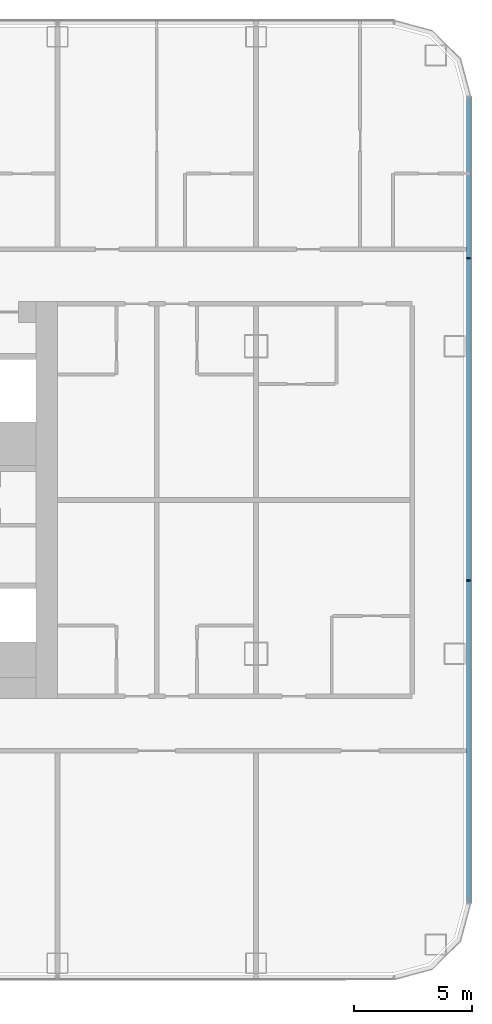
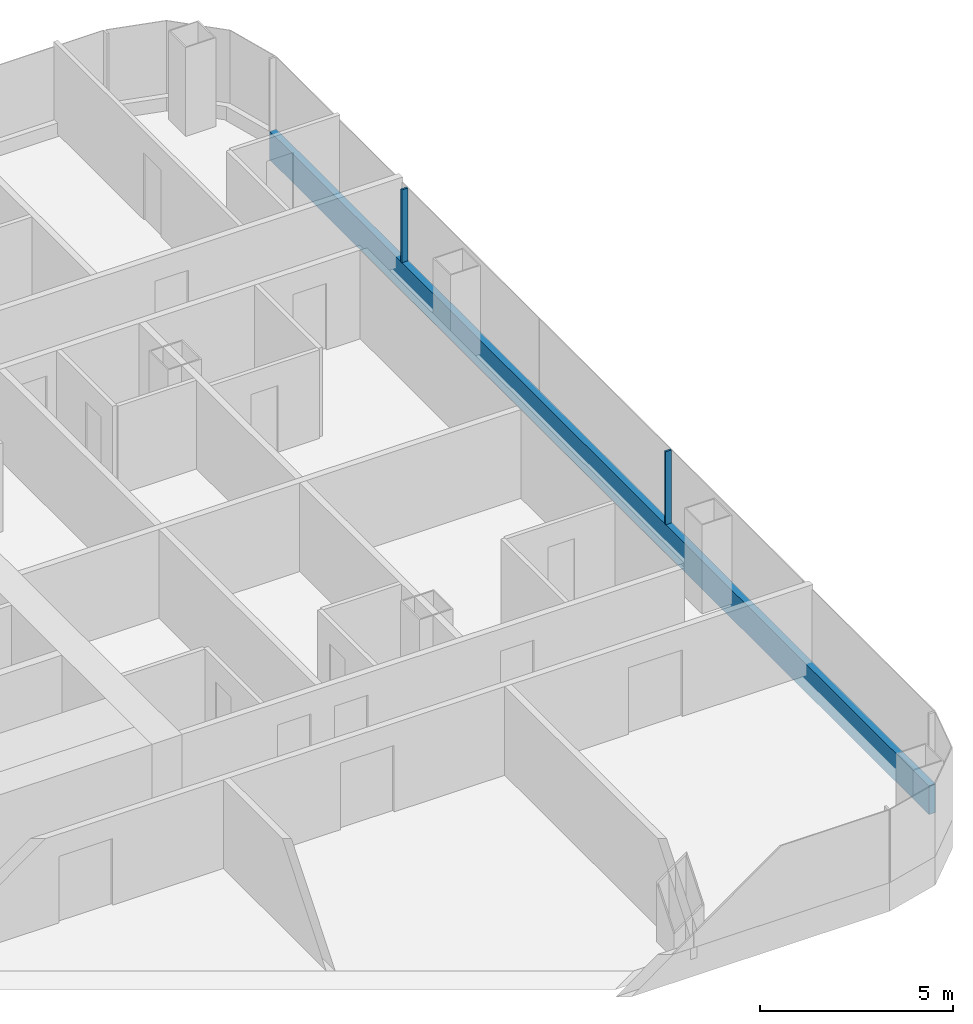
# One storey, part 10 of 28: 3 members, 1 element without a shape of its own.
"""IFC4 building model written with IfcOpenShell, lengths in metres."""

from ifc_helpers import new_model, si_unit, direction, frame, origin, origin_2d, place, context, subcontext, project, spatial, rectangle, extrude, material, layer, layer_set, material_profile, profile_set, type_object, element, aggregate, save


model = new_model("IFC4")

# Units and contexts
model_context = context("Model", 3, precision=1e-05, world=origin(), true_north=direction((0.0, 1.0)))
body_context = subcontext(model_context, "Body", "Model", "MODEL_VIEW")
ifc_project = project(units=[si_unit("LENGTHUNIT", "METRE"), si_unit("AREAUNIT", "SQUARE_METRE"), si_unit("VOLUMEUNIT", "CUBIC_METRE"), si_unit("PLANEANGLEUNIT", "RADIAN"), si_unit("MASSUNIT", "GRAM", prefix="KILO")], contexts=[model_context])

# Site, building, storey
site_placement = place(None, origin())
site = spatial("IfcSite", under=ifc_project, at=site_placement, CompositionType="ELEMENT")
building_placement = place(site_placement, origin())
building = spatial("IfcBuilding", under=site, at=building_placement, Name="Hakoniwa Tower and Hamabe Station Hall", CompositionType="ELEMENT")
storey_placement = place(building_placement, frame((0.0, 0.0, 32.60009765625)))
storey = spatial("IfcBuildingStorey", under=building, at=storey_placement, Name="L08", CompositionType="ELEMENT", Elevation=32.60009765625)

# Curtain wall, members
ifc_material_1 = material(Name="Dark low-e laminated glass", Category="glass")
ifc_layer = layer(ifc_material_1, 0.199951171875)
ifc_layer_set = layer_set([ifc_layer], Name="CW-1 UNITISED GUEST")
curtain_wall_type = type_object("IfcCurtainWallType", Name="CW-1 UNITISED GUEST", PredefinedType="NOTDEFINED", material=ifc_layer_set)
curtain_wall_placement = place(storey_placement, origin())
curtain_wall = element("IfcCurtainWall", 1, at=curtain_wall_placement, inside=storey, type_object=curtain_wall_type, Name="CW-1 curtain wall", PredefinedType="NOTDEFINED")
ifc_material_2 = material(Name="Aluminium 6063-T5 black anodised", Category="aluminium")
ifc_material_profile_1 = material_profile(ifc_material_2, rectangle(XDim=0.199951171875, YDim=0.89990234375, at=origin_2d()), Name="CW SLAB-EDGE BAND 900X200")
ifc_profile_set_1 = profile_set([ifc_material_profile_1], Name="Aluminium 6063-T5 black anodised")
member_type_1 = type_object("IfcMemberType", Name="CW SLAB-EDGE BAND 900X200", PredefinedType="USERDEFINED", material=ifc_profile_set_1)
member_1_placement = place(storey_placement, frame((51.0, -17.03955078125, -0.10009765625), z_axis=(0.0, 1.0, 0.0), x_axis=(-1.0, 0.0, 0.0)))
member_1 = element("IfcMember", 2, at=member_1_placement, type_object=member_type_1, Name="CW-1 transom", ObjectType="TRANSOM", PredefinedType="USERDEFINED", context=body_context, shape_type="SweptSolid", body=[
    extrude(rectangle(XDim=0.199951171875, YDim=0.89990234375, at=origin_2d()), origin(), (0.0, 0.0, 1.0), 34.0791015625),
])
ifc_material_3 = material(Name="Aluminium 6063-T5 black anodised", Category="aluminium")
ifc_material_profile_2 = material_profile(ifc_material_3, rectangle(XDim=0.06005859375, YDim=0.179931640625, at=origin_2d()), Name="CW-1 MULLION 60X180")
ifc_profile_set_2 = profile_set([ifc_material_profile_2], Name="Aluminium 6063-T5 black anodised")
member_type_2 = type_object("IfcMemberType", Name="CW-1 MULLION 60X180", PredefinedType="MULLION", material=ifc_profile_set_2)
member_2_placement = place(storey_placement, frame((50.98193359375, -3.407958984375, 0.349853515625), z_axis=(0.0, 0.0, 1.0), x_axis=(0.0, 1.0, 0.0)))
member_2 = element("IfcMember", 3, at=member_2_placement, type_object=member_type_2, Name="CW-1 mullion", PredefinedType="MULLION", context=body_context, shape_type="SweptSolid", body=[
    extrude(rectangle(XDim=0.06005859375, YDim=0.179931640625, at=origin_2d()), origin(), (0.0, 0.0, 1.0), 2.300048828125),
])
member_3_placement = place(storey_placement, frame((50.98193359375, 10.2236328125, 0.349853515625), z_axis=(0.0, 0.0, 1.0), x_axis=(0.0, 1.0, 0.0)))
member_3 = element("IfcMember", 4, at=member_3_placement, type_object=member_type_2, Name="CW-1 mullion", PredefinedType="MULLION", context=body_context, shape_type="SweptSolid", body=[
    extrude(rectangle(XDim=0.06005859375, YDim=0.179931640625, at=origin_2d()), origin(), (0.0, 0.0, 1.0), 2.300048828125),
])
aggregate(curtain_wall, [member_2, member_3, member_1])

save(model, "model.ifc")
